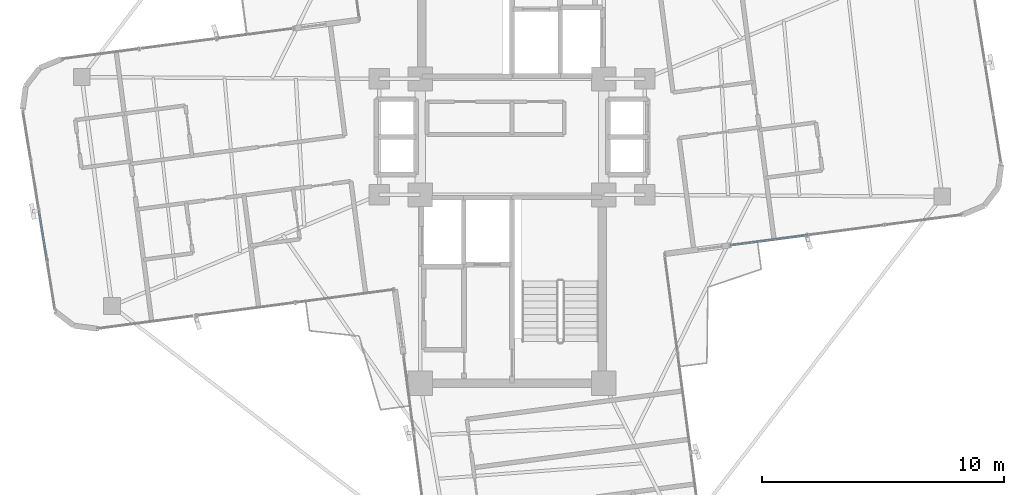
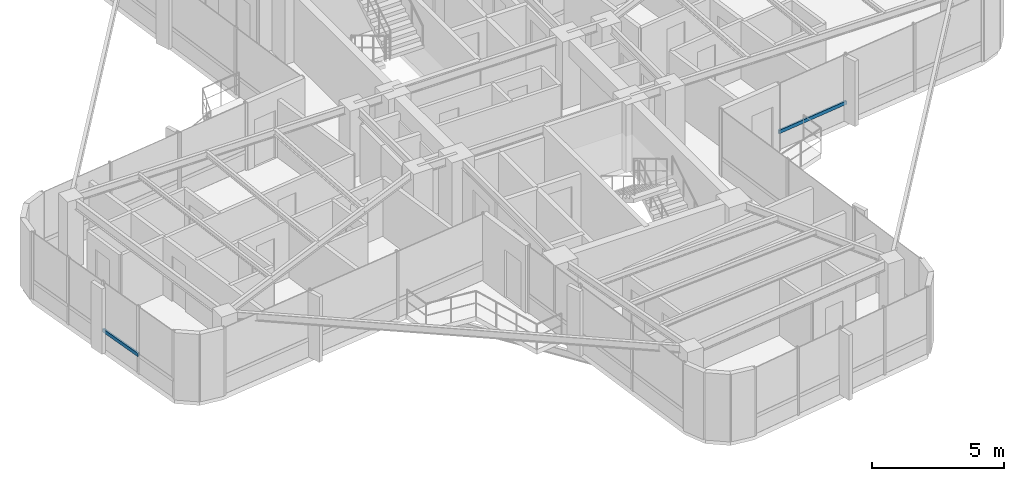
# One storey, part 6 of 22: 2 members, 2 elements without a shape of their own.
"""IFC4 building model written with IfcOpenShell, lengths in metres."""

from ifc_helpers import new_model, si_unit, direction, frame, origin, origin_2d, place, context, subcontext, project, spatial, hollow_rectangle, extrude, source, transform, mapped, material, material_profile, profile_set, type_object, element, aggregate, save


model = new_model("IFC4")

# Units and contexts
model_context = context("Model", 3, precision=1e-05, world=origin(), true_north=direction((0.0, 1.0)))
body_context = subcontext(model_context, "Body", "Model", "MODEL_VIEW")
ifc_project = project(units=[si_unit("LENGTHUNIT", "METRE"), si_unit("AREAUNIT", "SQUARE_METRE"), si_unit("VOLUMEUNIT", "CUBIC_METRE"), si_unit("PLANEANGLEUNIT", "RADIAN"), si_unit("MASSUNIT", "GRAM", prefix="KILO")], contexts=[model_context])

# Site, building, storey
site_placement = place(None, origin())
site = spatial("IfcSite", under=ifc_project, at=site_placement, CompositionType="ELEMENT")
building_placement = place(site_placement, origin())
building = spatial("IfcBuilding", under=site, at=building_placement, Name="Sahyath Konkavel Grand Hotel", CompositionType="ELEMENT")
storey_placement = place(building_placement, frame((0.0, 0.0, 234.449951171875)))
storey = spatial("IfcBuildingStorey", under=building, at=storey_placement, Name="L65", CompositionType="ELEMENT", Elevation=234.449951171875)

# Curtain wall, member
ifc_material_1 = material(Name="Anodised Bronze Aluminium & Low-E Glazing", Category="aluminium")
curtain_wall_type = type_object("IfcCurtainWallType", Name="CW-ZONE4", PredefinedType="NOTDEFINED", material=ifc_material_1)
curtain_wall_1_placement = place(storey_placement, origin())
curtain_wall_1 = element("IfcCurtainWall", 1, at=curtain_wall_1_placement, inside=storey, type_object=curtain_wall_type, Name="L65 Unitised Curtain Wall F0", PredefinedType="NOTDEFINED")
ifc_material_2 = material(Name="Anodised Bronze Aluminium", Category="aluminium")
ifc_material_profile = material_profile(ifc_material_2, hollow_rectangle(XDim=0.080078125, YDim=0.159912109375, WallThickness=0.006103515625, at=origin_2d()), Name="RHS 160x80x6")
ifc_profile_set = profile_set([ifc_material_profile], Name="Anodised Bronze Aluminium")
member_type = type_object("IfcMemberType", Name="CW-TRN-160", PredefinedType="USERDEFINED", material=ifc_profile_set)
shared_shape_1 = source(origin(), body_context, "Body", "SweptSolid", [
    extrude(hollow_rectangle(XDim=0.080078125, YDim=0.159912109375, WallThickness=0.006103515625, at=origin_2d()), origin(), (0.0, 0.0, 1.0), 3.224609375),
])
member_1_placement = place(storey_placement, frame((9.0322265625, -4.488525390625, 0.85009765625), z_axis=(0.991444758064, 0.13052697693, 0.0), x_axis=(-0.13052697693, 0.991444758064, 0.0)))
member_1 = element("IfcMember", 2, at=member_1_placement, type_object=member_type, Name="L65 Curtain Wall Transom F0-0-spandrel", ObjectType="TRANSOM", PredefinedType="USERDEFINED", context=body_context, shape_type="MappedRepresentation", body=[
    mapped(shared_shape_1, transform((0.0, 0.0, 0.0), scale=1.0)),
])
aggregate(curtain_wall_1, [member_1])

curtain_wall_2_placement = place(storey_placement, origin())
curtain_wall_2 = element("IfcCurtainWall", 3, at=curtain_wall_2_placement, inside=storey, type_object=curtain_wall_type, Name="L65 Unitised Curtain Wall F20", PredefinedType="NOTDEFINED")
shared_shape_2 = source(origin(), body_context, "Body", "SweptSolid", [
    extrude(hollow_rectangle(XDim=0.080078125, YDim=0.159912109375, WallThickness=0.006103515625, at=origin_2d()), origin(), (0.0, 0.0, 1.0), 2.1015625),
])
member_2_placement = place(storey_placement, frame((-19.5791015625, -3.044189453125, 0.85009765625), z_axis=(0.159385838432, -0.987216366612, 0.0), x_axis=(0.987216366612, 0.159385838432, 0.0)))
member_2 = element("IfcMember", 4, at=member_2_placement, type_object=member_type, Name="L65 Curtain Wall Transom F20-2-spandrel", ObjectType="TRANSOM", PredefinedType="USERDEFINED", context=body_context, shape_type="MappedRepresentation", body=[
    mapped(shared_shape_2, transform((0.0, 0.0, 0.0), scale=1.0)),
])
aggregate(curtain_wall_2, [member_2])

save(model, "model.ifc")
